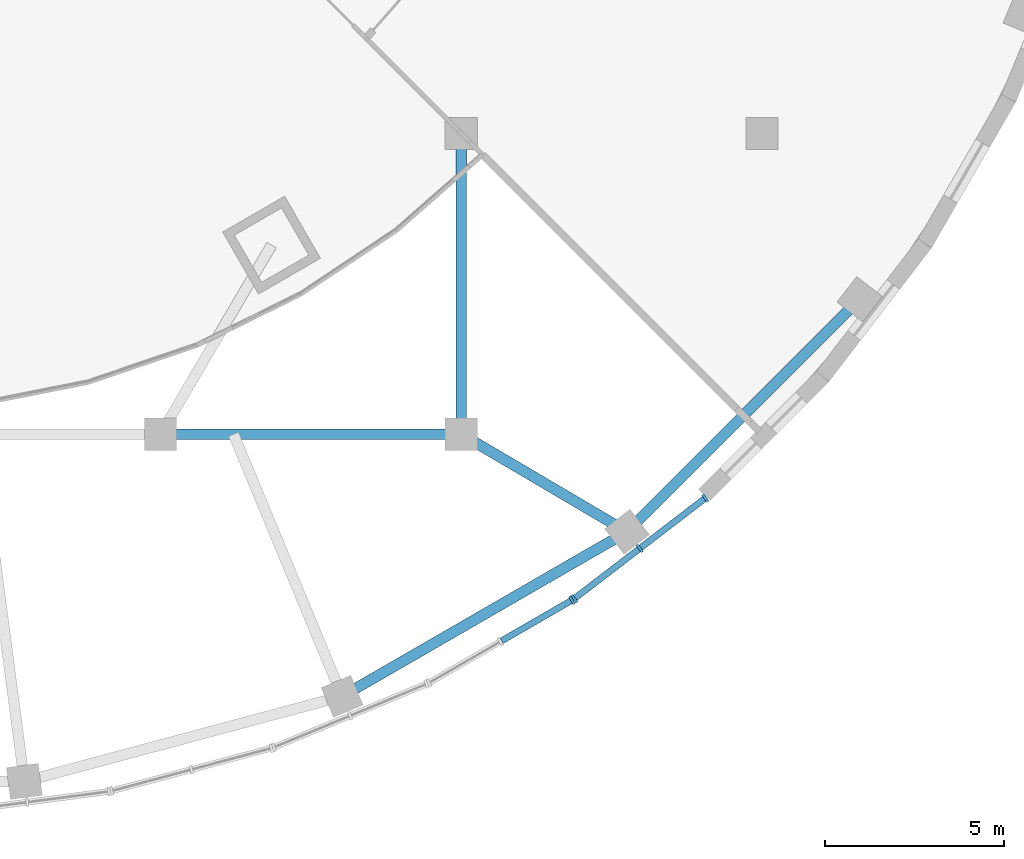
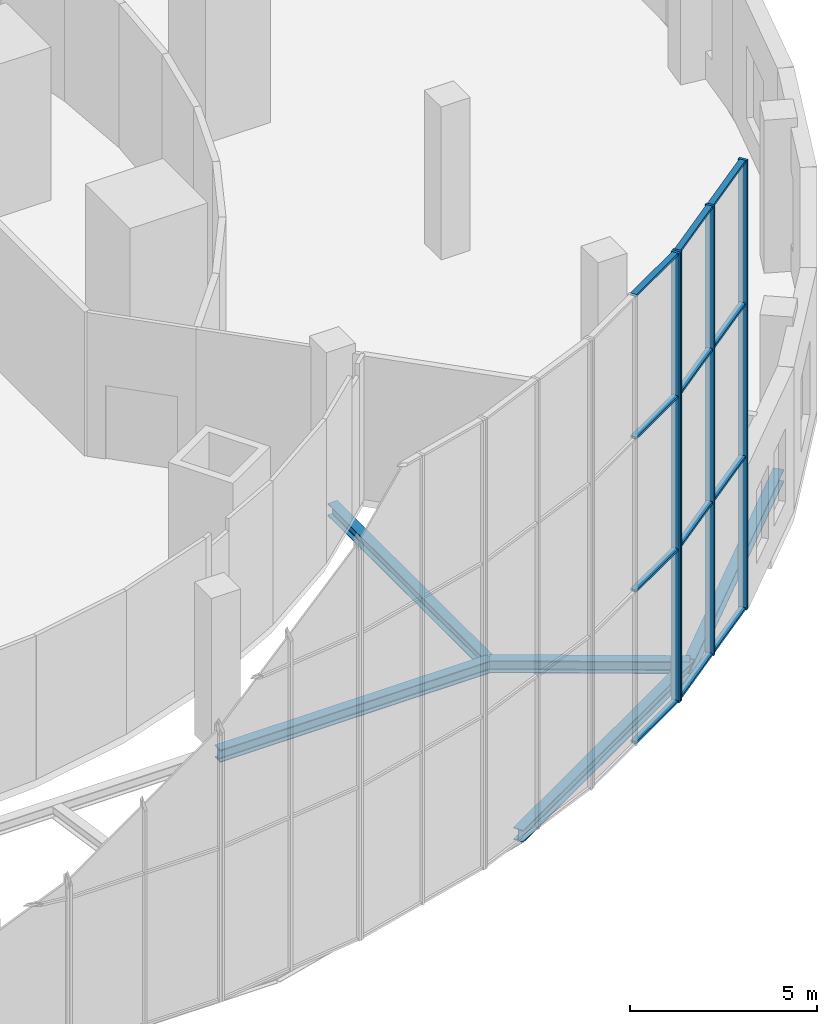
# One storey, part 4 of 17: 16 members, 5 beams, 2 elements without a shape of their own.
"""IFC4 building model written with IfcOpenShell, lengths in metres."""

from ifc_helpers import new_model, si_unit, direction, frame, origin, origin_2d, place, context, subcontext, project, spatial, rectangle, i_section, extrude, material, material_profile, profile_set, type_object, element, aggregate, save


model = new_model("IFC4")

# Units and contexts
model_context = context("Model", 3, precision=1e-05, world=origin(), true_north=direction((0.0, 1.0)))
body_context = subcontext(model_context, "Body", "Model", "MODEL_VIEW")
ifc_project = project(units=[si_unit("LENGTHUNIT", "METRE"), si_unit("AREAUNIT", "SQUARE_METRE"), si_unit("VOLUMEUNIT", "CUBIC_METRE"), si_unit("PLANEANGLEUNIT", "RADIAN"), si_unit("MASSUNIT", "GRAM", prefix="KILO")], contexts=[model_context])

# Site, building, storey
site_placement = place(None, origin())
site = spatial("IfcSite", under=ifc_project, at=site_placement, CompositionType="ELEMENT")
building_placement = place(site_placement, origin())
building = spatial("IfcBuilding", under=site, at=building_placement, Name="Golbaran Civic Tower", CompositionType="ELEMENT")
storey_placement = place(building_placement, frame((0.0, 0.0, 6.0)))
storey = spatial("IfcBuildingStorey", under=building, at=storey_placement, Name="L01", CompositionType="ELEMENT", Elevation=6.0)

# Beams
ifc_material_1 = material(Name="Steel S355", Category="steel")
ifc_material_profile_1 = material_profile(ifc_material_1, i_section(OverallWidth=0.300048828125, OverallDepth=0.39990234375, WebThickness=0.013427734375, FlangeThickness=0.02392578125, FilletRadius=0.027099609375, at=origin_2d()), Name="HEB 400")
ifc_profile_set_1 = profile_set([ifc_material_profile_1], Name="Steel S355")
beam_type = type_object("IfcBeamType", Name="ATRIUM BRACING TIE HEB 400", PredefinedType="BEAM", material=ifc_profile_set_1)
beam_1_placement = place(storey_placement, frame((8.39990234375, -25.199951171875, -0.5), z_axis=(1.0, 0.0, 0.0), x_axis=(0.0, 1.0, 0.0)))
element("IfcBeam", 1, at=beam_1_placement, inside=storey, type_object=beam_type, Name="Atrium bracing tie L01 ROW 04", PredefinedType="BEAM", context=body_context, shape_type="SweptSolid", body=[
    extrude(i_section(OverallWidth=0.300048828125, OverallDepth=0.39990234375, WebThickness=0.013427734375, FlangeThickness=0.02392578125, FilletRadius=0.027099609375, at=origin_2d()), origin(), (0.0, 0.0, 1.0), 8.400146484375),
])
for number, where, z_axis, x_axis, name in (
    (2, (13.470458984375, -32.5205078125, -0.5), (0.86602896297, 0.49999383526, 0.0), (-0.49999383526, 0.86602896297, 0.0), "Atrium bracing tie L01 RING 06"),
    (3, (21.428466796875, -27.926025390625, -0.5), (0.707106781187, 0.707106781187, 0.0), (-0.707106781187, 0.707106781187, 0.0), "Atrium bracing tie L01 RING 07"),
):
    element("IfcBeam", number, at=place(storey_placement, frame(where, z_axis=z_axis, x_axis=x_axis)), inside=storey, type_object=beam_type, Name=name, PredefinedType="BEAM", context=body_context, shape_type="SweptSolid", body=[
        extrude(i_section(OverallWidth=0.300048828125, OverallDepth=0.39990234375, WebThickness=0.013427734375, FlangeThickness=0.02392578125, FilletRadius=0.027099609375, at=origin_2d()), origin(), (0.0, 0.0, 1.0), 9.18896484375),
    ])
beam_2_placement = place(storey_placement, frame((16.800048828125, -25.199951171875, -0.5), z_axis=(0.0, 1.0, 0.0), x_axis=(-1.0, 0.0, 0.0)))
element("IfcBeam", 4, at=beam_2_placement, inside=storey, type_object=beam_type, Name="Atrium bracing tie L01 GR 8C", PredefinedType="BEAM", context=body_context, shape_type="SweptSolid", body=[
    extrude(i_section(OverallWidth=0.300048828125, OverallDepth=0.39990234375, WebThickness=0.013427734375, FlangeThickness=0.02392578125, FilletRadius=0.027099609375, at=origin_2d()), origin(), (0.0, 0.0, 1.0), 8.39990234375),
])
beam_3_placement = place(storey_placement, frame((21.428466796875, -27.926025390625, -0.5), z_axis=(-0.861651329698, 0.507500725151, 0.0), x_axis=(-0.507500725151, -0.861651329698, 0.0)))
element("IfcBeam", 5, at=beam_3_placement, inside=storey, type_object=beam_type, Name="Atrium bracing tie L01 ER 3075", PredefinedType="BEAM", context=body_context, shape_type="SweptSolid", body=[
    extrude(i_section(OverallWidth=0.300048828125, OverallDepth=0.39990234375, WebThickness=0.013427734375, FlangeThickness=0.02392578125, FilletRadius=0.027099609375, at=origin_2d()), origin(), (0.0, 0.0, 1.0), 5.37158203125),
])

# Curtain wall, member
ifc_material_2 = material(Name="Aluminium and glass", Category="aluminium")
curtain_wall_type = type_object("IfcCurtainWallType", Name="ATRIUM CURTAIN WALL", PredefinedType="NOTDEFINED", material=ifc_material_2)
curtain_wall_1_placement = place(storey_placement, origin())
curtain_wall_1 = element("IfcCurtainWall", 6, at=curtain_wall_1_placement, inside=storey, type_object=curtain_wall_type, Name="Atrium curtain wall facet 40 CW4", ObjectType="ATRIUM GLAZING", PredefinedType="USERDEFINED")
ifc_material_3 = material(Name="Aluminium", Category="aluminium")
ifc_material_profile_2 = material_profile(ifc_material_3, rectangle(XDim=0.25, YDim=0.074951171875, at=origin_2d()), Name="ATRIUM CURTAIN WALL MULLION")
ifc_profile_set_2 = profile_set([ifc_material_profile_2], Name="Aluminium")
member_type_1 = type_object("IfcMemberType", Name="ATRIUM CURTAIN WALL MULLION", PredefinedType="MULLION", material=ifc_profile_set_2)
member_1_placement = place(storey_placement, frame((19.891357421875, -29.836669921875, 0.0), z_axis=(0.0, 0.0, 1.0), x_axis=(-0.500000000076, 0.866025403741, 0.0)))
member_1 = element("IfcMember", 7, at=member_1_placement, type_object=member_type_1, Name="CW4 mullion 3", PredefinedType="MULLION", context=body_context, shape_type="SweptSolid", body=[
    extrude(rectangle(XDim=0.25, YDim=0.074951171875, at=origin_2d()), origin(), (0.0, 0.0, 1.0), 14.699951171875),
])

# Curtain wall, members
curtain_wall_2_placement = place(storey_placement, origin())
curtain_wall_2 = element("IfcCurtainWall", 8, at=curtain_wall_2_placement, inside=storey, type_object=curtain_wall_type, Name="Atrium curtain wall facet 41 CW4", ObjectType="ATRIUM GLAZING", PredefinedType="USERDEFINED")
member_2_placement = place(storey_placement, frame((19.953369140625, -29.795166015625, 0.0), z_axis=(0.0, 0.0, 1.0), x_axis=(-0.608761428926, 0.793353340355, 0.0)))
member_2 = element("IfcMember", 9, at=member_2_placement, type_object=member_type_1, Name="CW4 mullion 1", PredefinedType="MULLION", context=body_context, shape_type="SweptSolid", body=[
    extrude(rectangle(XDim=0.25, YDim=0.074951171875, at=origin_2d()), origin(), (0.0, 0.0, 1.0), 14.699951171875),
])
member_3_placement = place(storey_placement, frame((21.784423828125, -28.39013671875, 0.0), z_axis=(0.0, 0.0, 1.0), x_axis=(-0.608761428926, 0.793353340355, 0.0)))
member_3 = element("IfcMember", 10, at=member_3_placement, type_object=member_type_1, Name="CW4 mullion 2", PredefinedType="MULLION", context=body_context, shape_type="SweptSolid", body=[
    extrude(rectangle(XDim=0.25, YDim=0.074951171875, at=origin_2d()), origin(), (0.0, 0.0, 1.0), 14.699951171875),
])
member_4_placement = place(storey_placement, frame((23.615478515625, -26.985107421875, 0.0), z_axis=(0.0, 0.0, 1.0), x_axis=(-0.608761428926, 0.793353340355, 0.0)))
member_4 = element("IfcMember", 11, at=member_4_placement, type_object=member_type_1, Name="CW4 mullion 3", PredefinedType="MULLION", context=body_context, shape_type="SweptSolid", body=[
    extrude(rectangle(XDim=0.25, YDim=0.074951171875, at=origin_2d()), origin(), (0.0, 0.0, 1.0), 14.699951171875),
])

# Member
ifc_material_profile_3 = material_profile(ifc_material_3, rectangle(XDim=0.179931640625, YDim=0.074951171875, at=origin_2d()), Name="ATRIUM CURTAIN WALL TRANSOM")
ifc_profile_set_3 = profile_set([ifc_material_profile_3], Name="Aluminium")
member_type_2 = type_object("IfcMemberType", Name="ATRIUM CURTAIN WALL TRANSOM", PredefinedType="USERDEFINED", material=ifc_profile_set_3)
member_5_placement = place(storey_placement, frame((17.925048828125, -30.971923828125, 0.03759765625), z_axis=(0.866034468987, 0.49998429828, 0.0), x_axis=(-0.49998429828, 0.866034468987, 0.0)))
member_5 = element("IfcMember", 12, at=member_5_placement, type_object=member_type_2, Name="CW4 transom 2.1", ObjectType="TRANSOM", PredefinedType="USERDEFINED", context=body_context, shape_type="SweptSolid", body=[
    extrude(rectangle(XDim=0.179931640625, YDim=0.074951171875, at=origin_2d()), origin(), (0.0, 0.0, 1.0), 2.23291015625),
])

member_6_placement = place(storey_placement, frame((17.925048828125, -30.971923828125, 5.0), z_axis=(0.866034468987, 0.49998429828, 0.0), x_axis=(-0.49998429828, 0.866034468987, 0.0)))
member_6 = element("IfcMember", 13, at=member_6_placement, type_object=member_type_2, Name="CW4 transom 2.2", ObjectType="TRANSOM", PredefinedType="USERDEFINED", context=body_context, shape_type="SweptSolid", body=[
    extrude(rectangle(XDim=0.179931640625, YDim=0.074951171875, at=origin_2d()), origin(), (0.0, 0.0, 1.0), 2.23291015625),
])

member_7_placement = place(storey_placement, frame((17.925048828125, -30.971923828125, 10.0), z_axis=(0.866034468987, 0.49998429828, 0.0), x_axis=(-0.49998429828, 0.866034468987, 0.0)))
member_7 = element("IfcMember", 14, at=member_7_placement, type_object=member_type_2, Name="CW4 transom 2.3", ObjectType="TRANSOM", PredefinedType="USERDEFINED", context=body_context, shape_type="SweptSolid", body=[
    extrude(rectangle(XDim=0.179931640625, YDim=0.074951171875, at=origin_2d()), origin(), (0.0, 0.0, 1.0), 2.23291015625),
])

member_8_placement = place(storey_placement, frame((17.925048828125, -30.971923828125, 14.66259765625), z_axis=(0.866034468987, 0.49998429828, 0.0), x_axis=(-0.49998429828, 0.866034468987, 0.0)))
member_8 = element("IfcMember", 15, at=member_8_placement, type_object=member_type_2, Name="CW4 transom 2.4", ObjectType="TRANSOM", PredefinedType="USERDEFINED", context=body_context, shape_type="SweptSolid", body=[
    extrude(rectangle(XDim=0.179931640625, YDim=0.074951171875, at=origin_2d()), origin(), (0.0, 0.0, 1.0), 2.23291015625),
])

aggregate(curtain_wall_1, [member_1, member_5, member_6, member_7, member_8])

member_9_placement = place(storey_placement, frame((19.983154296875, -29.772216796875, 0.03759765625), z_axis=(0.793432114598, 0.608658754578, 0.0), x_axis=(-0.608658754578, 0.793432114598, 0.0)))
member_9 = element("IfcMember", 16, at=member_9_placement, type_object=member_type_2, Name="CW4 transom 1.1", ObjectType="TRANSOM", PredefinedType="USERDEFINED", context=body_context, shape_type="SweptSolid", body=[
    extrude(rectangle(XDim=0.179931640625, YDim=0.074951171875, at=origin_2d()), origin(), (0.0, 0.0, 1.0), 2.23291015625),
])

member_10_placement = place(storey_placement, frame((19.983154296875, -29.772216796875, 5.0), z_axis=(0.793432114598, 0.608658754578, 0.0), x_axis=(-0.608658754578, 0.793432114598, 0.0)))
member_10 = element("IfcMember", 17, at=member_10_placement, type_object=member_type_2, Name="CW4 transom 1.2", ObjectType="TRANSOM", PredefinedType="USERDEFINED", context=body_context, shape_type="SweptSolid", body=[
    extrude(rectangle(XDim=0.179931640625, YDim=0.074951171875, at=origin_2d()), origin(), (0.0, 0.0, 1.0), 2.23291015625),
])

member_11_placement = place(storey_placement, frame((19.983154296875, -29.772216796875, 10.0), z_axis=(0.793432114598, 0.608658754578, 0.0), x_axis=(-0.608658754578, 0.793432114598, 0.0)))
member_11 = element("IfcMember", 18, at=member_11_placement, type_object=member_type_2, Name="CW4 transom 1.3", ObjectType="TRANSOM", PredefinedType="USERDEFINED", context=body_context, shape_type="SweptSolid", body=[
    extrude(rectangle(XDim=0.179931640625, YDim=0.074951171875, at=origin_2d()), origin(), (0.0, 0.0, 1.0), 2.23291015625),
])

member_12_placement = place(storey_placement, frame((19.983154296875, -29.772216796875, 14.66259765625), z_axis=(0.793432114598, 0.608658754578, 0.0), x_axis=(-0.608658754578, 0.793432114598, 0.0)))
member_12 = element("IfcMember", 19, at=member_12_placement, type_object=member_type_2, Name="CW4 transom 1.4", ObjectType="TRANSOM", PredefinedType="USERDEFINED", context=body_context, shape_type="SweptSolid", body=[
    extrude(rectangle(XDim=0.179931640625, YDim=0.074951171875, at=origin_2d()), origin(), (0.0, 0.0, 1.0), 2.23291015625),
])

member_13_placement = place(storey_placement, frame((21.814208984375, -28.367431640625, 0.03759765625), z_axis=(0.793338798871, 0.608780379288, 0.0), x_axis=(-0.608780379288, 0.793338798871, 0.0)))
member_13 = element("IfcMember", 20, at=member_13_placement, type_object=member_type_2, Name="CW4 transom 2.1", ObjectType="TRANSOM", PredefinedType="USERDEFINED", context=body_context, shape_type="SweptSolid", body=[
    extrude(rectangle(XDim=0.179931640625, YDim=0.074951171875, at=origin_2d()), origin(), (0.0, 0.0, 1.0), 2.23291015625),
])

member_14_placement = place(storey_placement, frame((21.814208984375, -28.367431640625, 5.0), z_axis=(0.793338798871, 0.608780379288, 0.0), x_axis=(-0.608780379288, 0.793338798871, 0.0)))
member_14 = element("IfcMember", 21, at=member_14_placement, type_object=member_type_2, Name="CW4 transom 2.2", ObjectType="TRANSOM", PredefinedType="USERDEFINED", context=body_context, shape_type="SweptSolid", body=[
    extrude(rectangle(XDim=0.179931640625, YDim=0.074951171875, at=origin_2d()), origin(), (0.0, 0.0, 1.0), 2.23291015625),
])

member_15_placement = place(storey_placement, frame((21.814208984375, -28.367431640625, 10.0), z_axis=(0.793338798871, 0.608780379288, 0.0), x_axis=(-0.608780379288, 0.793338798871, 0.0)))
member_15 = element("IfcMember", 22, at=member_15_placement, type_object=member_type_2, Name="CW4 transom 2.3", ObjectType="TRANSOM", PredefinedType="USERDEFINED", context=body_context, shape_type="SweptSolid", body=[
    extrude(rectangle(XDim=0.179931640625, YDim=0.074951171875, at=origin_2d()), origin(), (0.0, 0.0, 1.0), 2.23291015625),
])

member_16_placement = place(storey_placement, frame((21.814208984375, -28.367431640625, 14.66259765625), z_axis=(0.793338798871, 0.608780379288, 0.0), x_axis=(-0.608780379288, 0.793338798871, 0.0)))
member_16 = element("IfcMember", 23, at=member_16_placement, type_object=member_type_2, Name="CW4 transom 2.4", ObjectType="TRANSOM", PredefinedType="USERDEFINED", context=body_context, shape_type="SweptSolid", body=[
    extrude(rectangle(XDim=0.179931640625, YDim=0.074951171875, at=origin_2d()), origin(), (0.0, 0.0, 1.0), 2.23291015625),
])

aggregate(curtain_wall_2, [member_2, member_3, member_4, member_9, member_10, member_11, member_12, member_13, member_14, member_15, member_16])

save(model, "model.ifc")
